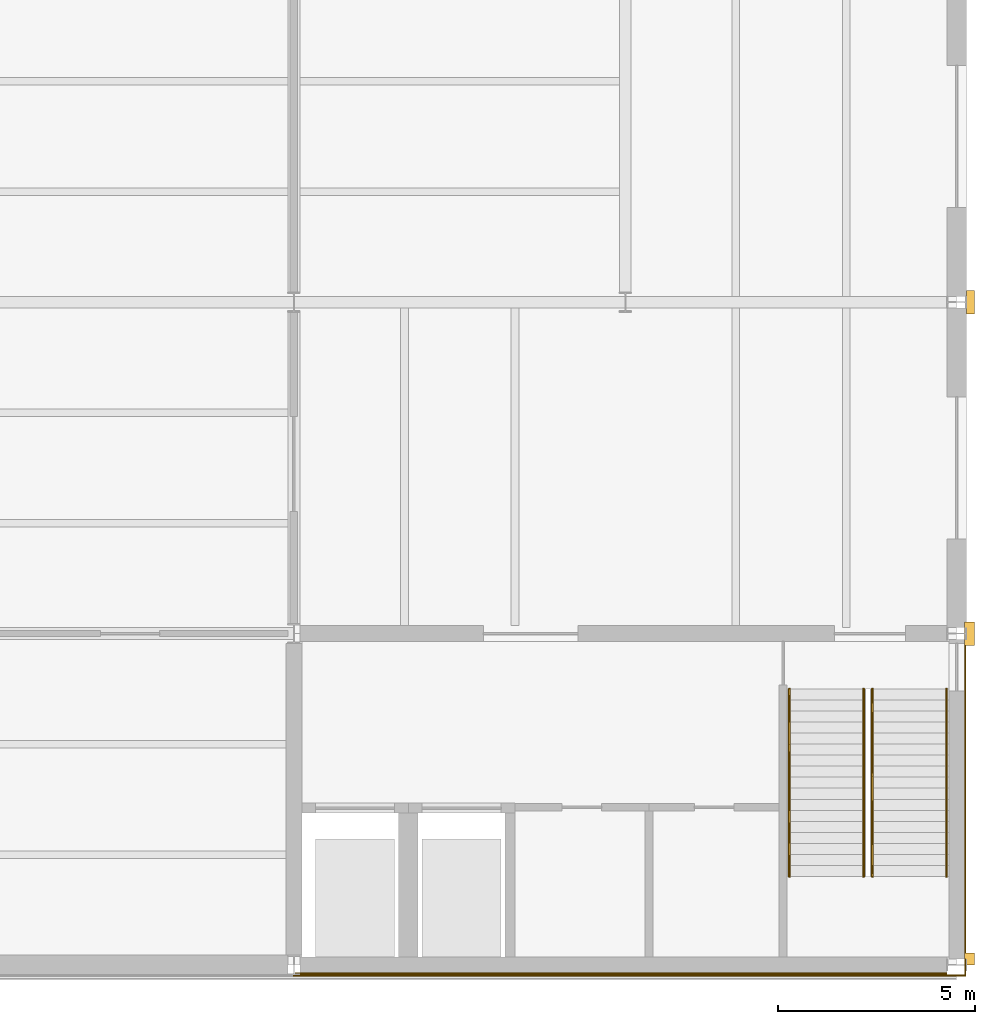
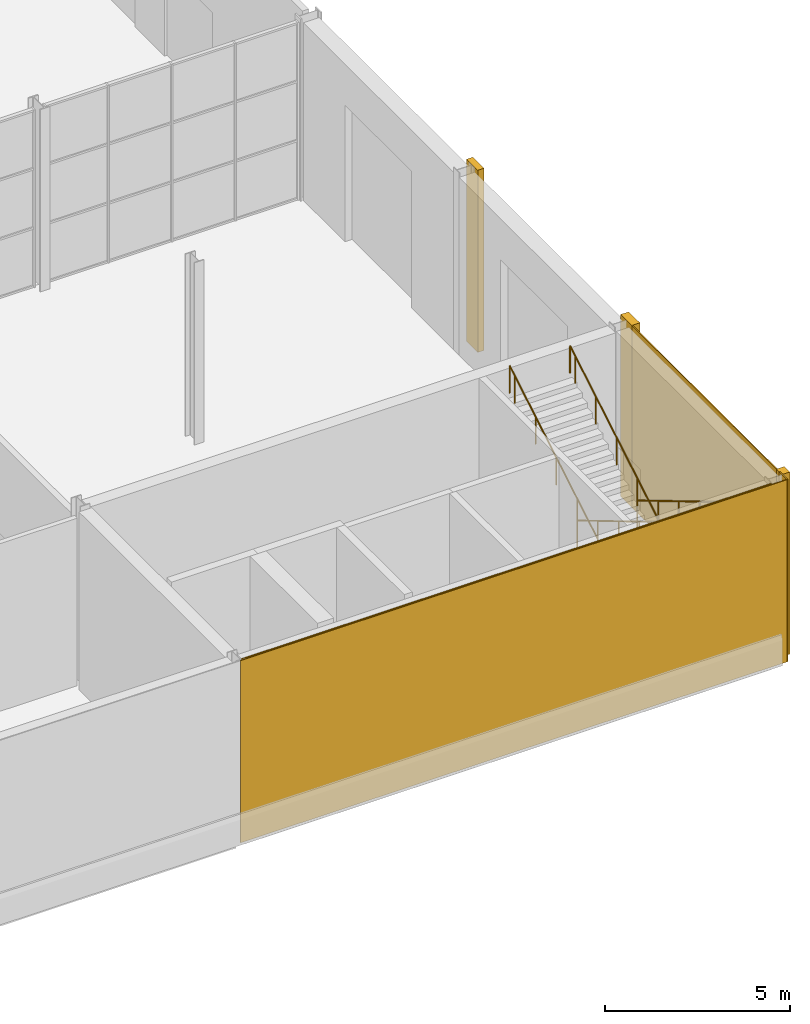
# One storey, part 52 of 55: 7 coverings, 4 railings.
"""IFC4 building model written with IfcOpenShell, lengths in metres."""

from ifc_helpers import new_model, si_unit, direction, frame, origin, origin_2d, place, context, subcontext, project, spatial, rectangle, circle, extrude, material, layer, layer_set, type_object, element, save


model = new_model("IFC4")

# Units and contexts
model_context = context("Model", 3, precision=1e-05, world=origin(), true_north=direction((0.0, 1.0)))
body_context = subcontext(model_context, "Body", "Model", "MODEL_VIEW")
ifc_project = project(units=[si_unit("LENGTHUNIT", "METRE"), si_unit("AREAUNIT", "SQUARE_METRE"), si_unit("VOLUMEUNIT", "CUBIC_METRE"), si_unit("PLANEANGLEUNIT", "RADIAN"), si_unit("MASSUNIT", "GRAM", prefix="KILO")], contexts=[model_context])

# Site, building, storey
site_placement = place(None, origin())
site = spatial("IfcSite", under=ifc_project, at=site_placement, CompositionType="ELEMENT")
building_placement = place(site_placement, origin())
building = spatial("IfcBuilding", under=site, at=building_placement, Name="Galleria Vessillo Department Store", CompositionType="ELEMENT")
storey_placement = place(building_placement, origin())
storey = spatial("IfcBuildingStorey", under=building, at=storey_placement, Name="L00", CompositionType="ELEMENT", Elevation=0.0)

# Coverings
ifc_material_1 = material(Name="Lime plaster (intonaco) ochre")
ifc_layer_1 = layer(ifc_material_1, 0.030029296875)
ifc_layer_set_1 = layer_set([ifc_layer_1], Name="Lime plaster (intonaco) ochre")
covering_type_1 = type_object("IfcCoveringType", Name="Lime plaster render 30 mm", PredefinedType="CLADDING", material=ifc_layer_set_1)
covering_1_placement = place(storey_placement, frame((109.090087890625, -0.215087890625, 0.0), z_axis=(0.0, 0.0, 1.0), x_axis=(1.0, 0.0, 0.0)))
element("IfcCovering", 1, at=covering_1_placement, inside=storey, type_object=covering_type_1, Name="Wall cladding S-CW-GC-PARTY-L00", PredefinedType="CLADDING", context=body_context, shape_type="SweptSolid", body=[
    extrude(rectangle(XDim=16.52001953125, YDim=0.030029296875, at=origin_2d()), origin(), (0.0, 0.0, 1.0), 6.0),
])
covering_2_placement = place(storey_placement, frame((109.300048828125, -0.264892578125, 0.0), z_axis=(0.0, 0.0, 1.0), x_axis=(1.0, 0.0, 0.0)))
element("IfcCovering", 2, at=covering_2_placement, inside=storey, type_object=covering_type_1, Name="Corner cladding L00 y=0 south/north face", PredefinedType="CLADDING", context=body_context, shape_type="SweptSolid", body=[
    extrude(rectangle(XDim=17.059814453125, YDim=0.030029296875, at=origin_2d()), origin(), (0.0, 0.0, 1.0), 6.0),
])
covering_3_placement = place(storey_placement, frame((117.81494140625, -0.06494140625, 0.0), z_axis=(0.0, 0.0, 1.0), x_axis=(1.0, 0.0, 0.0)))
element("IfcCovering", 3, at=covering_3_placement, inside=storey, type_object=covering_type_1, Name="Corner cladding L00 y=0 east face", PredefinedType="CLADDING", context=body_context, shape_type="SweptSolid", body=[
    extrude(rectangle(XDim=0.030029296875, YDim=0.429931640625, at=origin_2d()), origin(), (0.0, 0.0, 1.0), 6.0),
])
ifc_material_2 = material(Name="Botticino limestone ashlar", Category="masonry")
ifc_layer_2 = layer(ifc_material_2, 0.199951171875)
ifc_layer_set_2 = layer_set([ifc_layer_2], Name="Botticino limestone ashlar")
covering_type_2 = type_object("IfcCoveringType", Name="Limestone giant pilaster 600 x 200", PredefinedType="CLADDING", material=ifc_layer_set_2)
covering_4_placement = place(storey_placement, frame((117.925048828125, 0.14990234375, 0.0), z_axis=(0.0, 0.0, 1.0), x_axis=(1.0, 0.0, 0.0)))
element("IfcCovering", 4, at=covering_4_placement, inside=storey, type_object=covering_type_2, Name="Giant pilaster E L00 y=0.0", PredefinedType="CLADDING", context=body_context, shape_type="SweptSolid", body=[
    extrude(rectangle(XDim=0.25, YDim=0.300048828125, at=origin_2d()), origin(), (0.0, 0.0, 1.0), 6.0),
])
covering_5_placement = place(storey_placement, frame((117.925048828125, 8.39990234375, 0.0), z_axis=(0.0, 0.0, 1.0), x_axis=(1.0, 0.0, 0.0)))
element("IfcCovering", 5, at=covering_5_placement, inside=storey, type_object=covering_type_2, Name="Giant pilaster E L00 y=8.4", PredefinedType="CLADDING", context=body_context, shape_type="SweptSolid", body=[
    extrude(rectangle(XDim=0.25, YDim=0.60009765625, at=origin_2d()), origin(), (0.0, 0.0, 1.0), 6.0),
])
covering_6_placement = place(storey_placement, frame((117.9501953125, 16.800048828125, 0.0), z_axis=(0.0, 0.0, 1.0), x_axis=(1.0, 0.0, 0.0)))
element("IfcCovering", 6, at=covering_6_placement, inside=storey, type_object=covering_type_2, Name="Giant pilaster E L00 y=16.8", PredefinedType="CLADDING", context=body_context, shape_type="SweptSolid", body=[
    extrude(rectangle(XDim=0.199951171875, YDim=0.60009765625, at=origin_2d()), origin(), (0.0, 0.0, 1.0), 6.0),
])
ifc_material_3 = material(Name="Botticino limestone ashlar", Category="masonry")
ifc_layer_3 = layer(ifc_material_3, 0.030029296875)
ifc_layer_set_3 = layer_set([ifc_layer_3], Name="Botticino limestone ashlar")
covering_type_3 = type_object("IfcCoveringType", Name="Limestone wall cladding 30 mm", PredefinedType="CLADDING", material=ifc_layer_set_3)
covering_7_placement = place(storey_placement, frame((117.815185546875, 4.260009765625, 0.0), z_axis=(0.0, 0.0, 1.0), x_axis=(1.0, 0.0, 0.0)))
element("IfcCovering", 7, at=covering_7_placement, inside=storey, type_object=covering_type_3, Name="Wall cladding S-CW-GC-EAST-L00", PredefinedType="CLADDING", context=body_context, shape_type="SweptSolid", body=[
    extrude(rectangle(XDim=0.030029296875, YDim=8.219970703125, at=origin_2d()), origin(), (0.0, 0.0, 1.0), 6.0),
])

# Railings
ifc_material_4 = material(Name="Stainless steel tube", Category="steel")
railing_type = type_object("IfcRailingType", Name="Stair handrail steel tube 48 mm", PredefinedType="HANDRAIL", material=ifc_material_4)
railing_1_placement = place(storey_placement, frame((117.33984375, 7.0, 0.166748046875)))
element("IfcRailing", 8, at=railing_1_placement, inside=storey, type_object=railing_type, Name="Handrail ST7 L00 flight 1A", PredefinedType="HANDRAIL", context=body_context, shape_type="SweptSolid", body=[
    extrude(circle(Radius=0.02392578125, at=origin_2d()), frame((0.0, 0.0, 0.89599609375), z_axis=(0.0, -0.859371278866, 0.511352134112), x_axis=(1.0, 0.0, 0.0)), (0.0, 0.0, 1.0), 1.303466796875),
    extrude(circle(Radius=0.02392578125, at=origin_2d()), frame((0.0, -1.1201171875, 1.5625), z_axis=(0.0, -0.859239953289, 0.511572773584), x_axis=(1.0, 0.0, 0.0)), (0.0, 0.0, 1.0), 1.30322265625),
    extrude(circle(Radius=0.02392578125, at=origin_2d()), frame((0.0, -2.239990234375, 2.22900390625), z_axis=(0.0, -0.859288964532, 0.511490445104), x_axis=(1.0, 0.0, 0.0)), (0.0, 0.0, 1.0), 1.303466796875),
    extrude(circle(Radius=0.02392578125, at=origin_2d()), frame((0.0, -3.360107421875, 2.89599609375), z_axis=(0.0, -0.85932228943, 0.511434456103), x_axis=(1.0, 0.0, 0.0)), (0.0, 0.0, 1.0), 1.30322265625),
    extrude(circle(Radius=0.02392578125, at=origin_2d()), frame((0.0, -4.47998046875, 3.5625), z_axis=(0.0, -0.859206643714, 0.511628716353), x_axis=(1.0, 0.0, 0.0)), (0.0, 0.0, 1.0), 0.325927734375),
    extrude(circle(Radius=0.02099609375, at=origin_2d()), origin(), (0.0, 0.0, 1.0), 0.871826171875),
    extrude(circle(Radius=0.02099609375, at=origin_2d()), frame((0.0, -1.1201171875, 0.66650390625)), (0.0, 0.0, 1.0), 0.871826171875),
    extrude(circle(Radius=0.02099609375, at=origin_2d()), frame((0.0, -2.239990234375, 1.333251953125)), (0.0, 0.0, 1.0), 0.871826171875),
    extrude(circle(Radius=0.02099609375, at=origin_2d()), frame((0.0, -3.360107421875, 2.0)), (0.0, 0.0, 1.0), 0.871826171875),
    extrude(circle(Radius=0.02099609375, at=origin_2d()), frame((0.0, -4.47998046875, 2.66650390625)), (0.0, 0.0, 1.0), 0.871826171875),
    extrude(circle(Radius=0.02099609375, at=origin_2d()), frame((0.0, -4.760009765625, 2.833251953125)), (0.0, 0.0, 1.0), 0.871826171875),
])
railing_2_placement = place(storey_placement, frame((115.4599609375, 7.0, 0.166748046875)))
element("IfcRailing", 9, at=railing_2_placement, inside=storey, type_object=railing_type, Name="Handrail ST7 L00 flight 1B", PredefinedType="HANDRAIL", context=body_context, shape_type="SweptSolid", body=[
    extrude(circle(Radius=0.02392578125, at=origin_2d()), frame((0.0, 0.0, 0.89599609375), z_axis=(0.0, -0.859371278866, 0.511352134112), x_axis=(1.0, 0.0, 0.0)), (0.0, 0.0, 1.0), 1.303466796875),
    extrude(circle(Radius=0.02392578125, at=origin_2d()), frame((0.0, -1.1201171875, 1.5625), z_axis=(0.0, -0.859239953289, 0.511572773584), x_axis=(1.0, 0.0, 0.0)), (0.0, 0.0, 1.0), 1.30322265625),
    extrude(circle(Radius=0.02392578125, at=origin_2d()), frame((0.0, -2.239990234375, 2.22900390625), z_axis=(0.0, -0.859288964532, 0.511490445104), x_axis=(1.0, 0.0, 0.0)), (0.0, 0.0, 1.0), 1.303466796875),
    extrude(circle(Radius=0.02392578125, at=origin_2d()), frame((0.0, -3.360107421875, 2.89599609375), z_axis=(0.0, -0.85932228943, 0.511434456103), x_axis=(1.0, 0.0, 0.0)), (0.0, 0.0, 1.0), 1.30322265625),
    extrude(circle(Radius=0.02392578125, at=origin_2d()), frame((0.0, -4.47998046875, 3.5625), z_axis=(0.0, -0.859206643714, 0.511628716353), x_axis=(1.0, 0.0, 0.0)), (0.0, 0.0, 1.0), 0.325927734375),
    extrude(circle(Radius=0.02099609375, at=origin_2d()), origin(), (0.0, 0.0, 1.0), 0.871826171875),
    extrude(circle(Radius=0.02099609375, at=origin_2d()), frame((0.0, -1.1201171875, 0.66650390625)), (0.0, 0.0, 1.0), 0.871826171875),
    extrude(circle(Radius=0.02099609375, at=origin_2d()), frame((0.0, -2.239990234375, 1.333251953125)), (0.0, 0.0, 1.0), 0.871826171875),
    extrude(circle(Radius=0.02099609375, at=origin_2d()), frame((0.0, -3.360107421875, 2.0)), (0.0, 0.0, 1.0), 0.871826171875),
    extrude(circle(Radius=0.02099609375, at=origin_2d()), frame((0.0, -4.47998046875, 2.66650390625)), (0.0, 0.0, 1.0), 0.871826171875),
    extrude(circle(Radius=0.02099609375, at=origin_2d()), frame((0.0, -4.760009765625, 2.833251953125)), (0.0, 0.0, 1.0), 0.871826171875),
])
railing_3_placement = place(storey_placement, frame((113.360107421875, 2.239990234375, 3.166748046875)))
element("IfcRailing", 10, at=railing_3_placement, inside=storey, type_object=railing_type, Name="Handrail ST7 L00 flight 2A", PredefinedType="HANDRAIL", context=body_context, shape_type="SweptSolid", body=[
    extrude(circle(Radius=0.02392578125, at=origin_2d()), frame((0.0, 0.0, 0.89599609375), z_axis=(0.0, 0.859371278866, 0.511352134112), x_axis=(-1.0, 0.0, 0.0)), (0.0, 0.0, 1.0), 1.303466796875),
    extrude(circle(Radius=0.02392578125, at=origin_2d()), frame((0.0, 1.1201171875, 1.5625), z_axis=(0.0, 0.859239953289, 0.511572773584), x_axis=(-1.0, 0.0, 0.0)), (0.0, 0.0, 1.0), 1.30322265625),
    extrude(circle(Radius=0.02392578125, at=origin_2d()), frame((0.0, 2.239990234375, 2.22900390625), z_axis=(0.0, 0.859288964532, 0.511490445104), x_axis=(-1.0, 0.0, 0.0)), (0.0, 0.0, 1.0), 1.303466796875),
    extrude(circle(Radius=0.02392578125, at=origin_2d()), frame((0.0, 3.360107421875, 2.89599609375), z_axis=(0.0, 0.85932228943, 0.511434456103), x_axis=(-1.0, 0.0, 0.0)), (0.0, 0.0, 1.0), 1.30322265625),
    extrude(circle(Radius=0.02392578125, at=origin_2d()), frame((0.0, 4.47998046875, 3.5625), z_axis=(0.0, 0.859206643714, 0.511628716353), x_axis=(-1.0, 0.0, 0.0)), (0.0, 0.0, 1.0), 0.325927734375),
    extrude(circle(Radius=0.02099609375, at=origin_2d()), origin(), (0.0, 0.0, 1.0), 0.871826171875),
    extrude(circle(Radius=0.02099609375, at=origin_2d()), frame((0.0, 1.1201171875, 0.66650390625)), (0.0, 0.0, 1.0), 0.871826171875),
    extrude(circle(Radius=0.02099609375, at=origin_2d()), frame((0.0, 2.239990234375, 1.333251953125)), (0.0, 0.0, 1.0), 0.871826171875),
    extrude(circle(Radius=0.02099609375, at=origin_2d()), frame((0.0, 3.360107421875, 2.0)), (0.0, 0.0, 1.0), 0.871826171875),
    extrude(circle(Radius=0.02099609375, at=origin_2d()), frame((0.0, 4.47998046875, 2.66650390625)), (0.0, 0.0, 1.0), 0.871826171875),
    extrude(circle(Radius=0.02099609375, at=origin_2d()), frame((0.0, 4.760009765625, 2.833251953125)), (0.0, 0.0, 1.0), 0.871826171875),
])
railing_4_placement = place(storey_placement, frame((115.239990234375, 2.239990234375, 3.166748046875)))
element("IfcRailing", 11, at=railing_4_placement, inside=storey, type_object=railing_type, Name="Handrail ST7 L00 flight 2B", PredefinedType="HANDRAIL", context=body_context, shape_type="SweptSolid", body=[
    extrude(circle(Radius=0.02392578125, at=origin_2d()), frame((0.0, 0.0, 0.89599609375), z_axis=(0.0, 0.859371278866, 0.511352134112), x_axis=(-1.0, 0.0, 0.0)), (0.0, 0.0, 1.0), 1.303466796875),
    extrude(circle(Radius=0.02392578125, at=origin_2d()), frame((0.0, 1.1201171875, 1.5625), z_axis=(0.0, 0.859239953289, 0.511572773584), x_axis=(-1.0, 0.0, 0.0)), (0.0, 0.0, 1.0), 1.30322265625),
    extrude(circle(Radius=0.02392578125, at=origin_2d()), frame((0.0, 2.239990234375, 2.22900390625), z_axis=(0.0, 0.859288964532, 0.511490445104), x_axis=(-1.0, 0.0, 0.0)), (0.0, 0.0, 1.0), 1.303466796875),
    extrude(circle(Radius=0.02392578125, at=origin_2d()), frame((0.0, 3.360107421875, 2.89599609375), z_axis=(0.0, 0.85932228943, 0.511434456103), x_axis=(-1.0, 0.0, 0.0)), (0.0, 0.0, 1.0), 1.30322265625),
    extrude(circle(Radius=0.02392578125, at=origin_2d()), frame((0.0, 4.47998046875, 3.5625), z_axis=(0.0, 0.859206643714, 0.511628716353), x_axis=(-1.0, 0.0, 0.0)), (0.0, 0.0, 1.0), 0.325927734375),
    extrude(circle(Radius=0.02099609375, at=origin_2d()), origin(), (0.0, 0.0, 1.0), 0.871826171875),
    extrude(circle(Radius=0.02099609375, at=origin_2d()), frame((0.0, 1.1201171875, 0.66650390625)), (0.0, 0.0, 1.0), 0.871826171875),
    extrude(circle(Radius=0.02099609375, at=origin_2d()), frame((0.0, 2.239990234375, 1.333251953125)), (0.0, 0.0, 1.0), 0.871826171875),
    extrude(circle(Radius=0.02099609375, at=origin_2d()), frame((0.0, 3.360107421875, 2.0)), (0.0, 0.0, 1.0), 0.871826171875),
    extrude(circle(Radius=0.02099609375, at=origin_2d()), frame((0.0, 4.47998046875, 2.66650390625)), (0.0, 0.0, 1.0), 0.871826171875),
    extrude(circle(Radius=0.02099609375, at=origin_2d()), frame((0.0, 4.760009765625, 2.833251953125)), (0.0, 0.0, 1.0), 0.871826171875),
])

save(model, "model.ifc")
